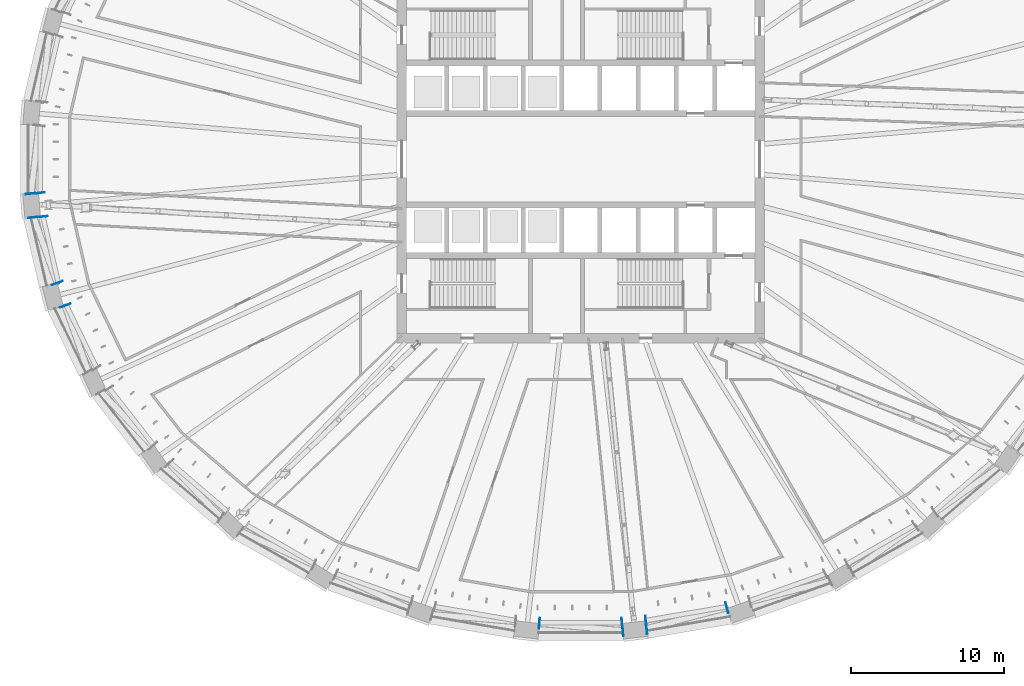
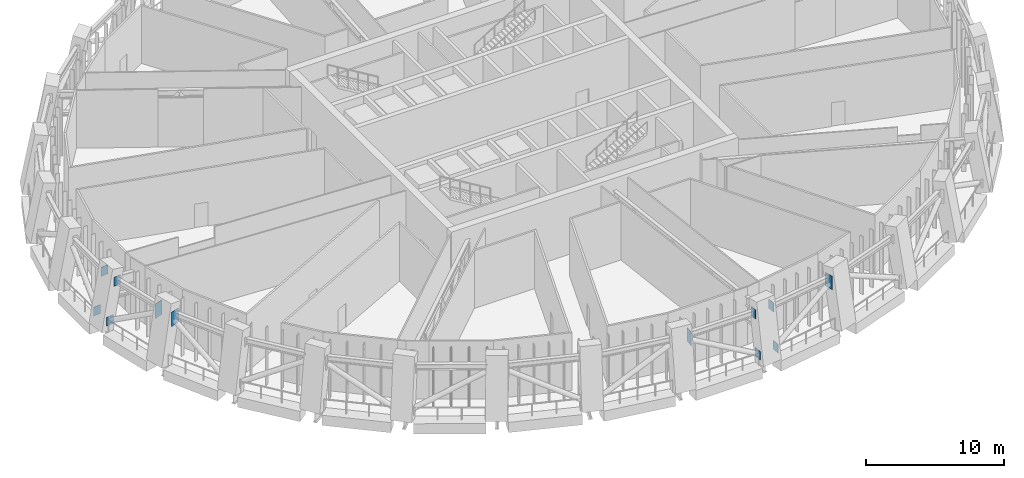
# One storey, part 13 of 22: 12 discrete accessories.
"""IFC4 building model written with IfcOpenShell, lengths in metres."""

from ifc_helpers import new_model, si_unit, direction, frame, origin, origin_2d, place, context, subcontext, project, spatial, rectangle, extrude, material, layer, layer_set, type_object, element, save


model = new_model("IFC4")

# Units and contexts
model_context = context("Model", 3, precision=1e-05, world=origin(), true_north=direction((0.0, 1.0)))
body_context = subcontext(model_context, "Body", "Model", "MODEL_VIEW")
ifc_project = project(units=[si_unit("LENGTHUNIT", "METRE"), si_unit("AREAUNIT", "SQUARE_METRE"), si_unit("VOLUMEUNIT", "CUBIC_METRE"), si_unit("PLANEANGLEUNIT", "RADIAN"), si_unit("MASSUNIT", "GRAM", prefix="KILO")], contexts=[model_context])

# Site, building, storey
site_placement = place(None, origin())
site = spatial("IfcSite", under=ifc_project, at=site_placement, CompositionType="ELEMENT")
building_placement = place(site_placement, origin())
building = spatial("IfcBuilding", under=site, at=building_placement, Name="Halqa Exchange Tower", CompositionType="ELEMENT")
storey_placement = place(building_placement, frame((0.0, 0.0, 99.10009765625)))
storey = spatial("IfcBuildingStorey", under=building, at=storey_placement, Name="L22", CompositionType="ELEMENT", Elevation=99.10009765625)

# Discrete accessories
ifc_material = material(Name="Steel S355", Category="steel")
ifc_layer = layer(ifc_material, 0.0400390625)
ifc_layer_set = layer_set([ifc_layer], Name="Steel S355")
discrete_accessory_type = type_object("IfcDiscreteAccessoryType", Name="Belt truss anchor plate 40", PredefinedType="ANCHORPLATE", material=ifc_layer_set)
discrete_accessory_1_placement = place(storey_placement, frame((-35.1572265625, -3.727783203125, 4.25), z_axis=(0.116485527129, -0.993192389202, 0.0), x_axis=(0.993192389202, 0.116485527129, 0.0)))
element("IfcDiscreteAccessory", 1, at=discrete_accessory_1_placement, inside=storey, type_object=discrete_accessory_type, Name="Belt truss anchor plate", PredefinedType="ANCHORPLATE", context=body_context, shape_type="SweptSolid", body=[
    extrude(rectangle(XDim=0.60009765625, YDim=0.800048828125, at=origin_2d()), origin(), (0.0, 0.0, 1.0), 0.039794921875),
])
discrete_accessory_2_placement = place(storey_placement, frame((-35.330078125, -2.217529296875, 4.25), z_axis=(-0.115780500934, 0.993274823804, 0.0), x_axis=(-0.993274823804, -0.115780500934, 0.0)))
element("IfcDiscreteAccessory", 2, at=discrete_accessory_2_placement, inside=storey, type_object=discrete_accessory_type, Name="Belt truss anchor plate", PredefinedType="ANCHORPLATE", context=body_context, shape_type="SweptSolid", body=[
    extrude(rectangle(XDim=0.60009765625, YDim=0.800048828125, at=origin_2d()), origin(), (0.0, 0.0, 1.0), 0.0400390625),
])
discrete_accessory_3_placement = place(storey_placement, frame((-35.79541015625, -3.780029296875, 0.983642578125), z_axis=(0.109762219212, -0.993957873973, 0.0), x_axis=(0.993957873973, 0.109762219212, 0.0)))
element("IfcDiscreteAccessory", 3, at=discrete_accessory_3_placement, inside=storey, type_object=discrete_accessory_type, Name="Belt truss anchor plate", PredefinedType="ANCHORPLATE", context=body_context, shape_type="SweptSolid", body=[
    extrude(rectangle(XDim=0.634033203125, YDim=0.77587890625, at=origin_2d()), origin(), (0.0, 0.0, 1.0), 0.0400390625),
])
discrete_accessory_4_placement = place(storey_placement, frame((-35.968017578125, -2.269775390625, 0.98974609375), z_axis=(-0.109762219212, 0.993957873973, 0.0), x_axis=(-0.993957873973, -0.109762219212, 0.0)))
element("IfcDiscreteAccessory", 4, at=discrete_accessory_4_placement, inside=storey, type_object=discrete_accessory_type, Name="Belt truss anchor plate", PredefinedType="ANCHORPLATE", context=body_context, shape_type="SweptSolid", body=[
    extrude(rectangle(XDim=0.632080078125, YDim=0.778076171875, at=origin_2d()), origin(), (0.0, 0.0, 1.0), 0.0400390625),
])
discrete_accessory_5_placement = place(storey_placement, frame((-33.705078125, -9.544677734375, 4.020263671875), z_axis=(0.334409845171, -0.942427745481, 0.0), x_axis=(0.942427745481, 0.334409845171, 0.0)))
element("IfcDiscreteAccessory", 5, at=discrete_accessory_5_placement, inside=storey, type_object=discrete_accessory_type, Name="Belt truss anchor plate", PredefinedType="ANCHORPLATE", context=body_context, shape_type="SweptSolid", body=[
    extrude(rectangle(XDim=0.738037109375, YDim=1.259033203125, at=origin_2d()), origin(), (0.0, 0.0, 1.0), 0.0400390625),
])
discrete_accessory_6_placement = place(storey_placement, frame((-34.211181640625, -8.111572265625, 4.020263671875), z_axis=(-0.334409845171, 0.942427745481, 0.0), x_axis=(-0.942427745481, -0.334409845171, 0.0)))
element("IfcDiscreteAccessory", 6, at=discrete_accessory_6_placement, inside=storey, type_object=discrete_accessory_type, Name="Belt truss anchor plate", PredefinedType="ANCHORPLATE", context=body_context, shape_type="SweptSolid", body=[
    extrude(rectangle(XDim=0.739990234375, YDim=1.259033203125, at=origin_2d()), origin(), (0.0, 0.0, 1.0), 0.0400390625),
])
discrete_accessory_7_placement = place(storey_placement, frame((-2.72216796875, -30.342041015625, 4.0546875), z_axis=(0.996872997497, -0.079020420533, 0.0), x_axis=(0.079020420533, 0.996872997497, 0.0)))
element("IfcDiscreteAccessory", 7, at=discrete_accessory_7_placement, inside=storey, type_object=discrete_accessory_type, Name="Belt truss anchor plate", PredefinedType="ANCHORPLATE", context=body_context, shape_type="SweptSolid", body=[
    extrude(rectangle(XDim=0.718017578125, YDim=1.19091796875, at=origin_2d()), origin(), (0.0, 0.0, 1.0), 0.040283203125),
])
for number, where, z_axis, x_axis, name in (
    (8, (4.231689453125, -30.15478515625, 4.25), (0.996834694212, 0.079502153526, 0.0), (-0.079502153526, 0.996834694212, 0.0), "Belt truss anchor plate"),
    (9, (2.717041015625, -30.282958984375, 4.25), (-0.996331773833, -0.085574508182, 0.0), (0.085574508182, -0.996331773833, 0.0), "Belt truss anchor plate"),
):
    element("IfcDiscreteAccessory", number, at=place(storey_placement, frame(where, z_axis=z_axis, x_axis=x_axis)), inside=storey, type_object=discrete_accessory_type, Name=name, PredefinedType="ANCHORPLATE", context=body_context, shape_type="SweptSolid", body=[
        extrude(rectangle(XDim=0.60009765625, YDim=0.800048828125, at=origin_2d()), origin(), (0.0, 0.0, 1.0), 0.0400390625),
    ])
discrete_accessory_8_placement = place(storey_placement, frame((4.295166015625, -30.694091796875, 0.9208984375), z_axis=(0.996376129781, 0.085056498884, 0.0), x_axis=(-0.085056498884, 0.996376129781, 0.0)))
element("IfcDiscreteAccessory", 10, at=discrete_accessory_8_placement, inside=storey, type_object=discrete_accessory_type, Name="Belt truss anchor plate", PredefinedType="ANCHORPLATE", context=body_context, shape_type="SweptSolid", body=[
    extrude(rectangle(XDim=0.678955078125, YDim=0.760986328125, at=origin_2d()), origin(), (0.0, 0.0, 1.0), 0.040283203125),
])
discrete_accessory_9_placement = place(storey_placement, frame((2.78076171875, -30.822509765625, 0.91650390625), z_axis=(-0.996376129781, -0.085056498884, 0.0), x_axis=(0.085056498884, -0.996376129781, 0.0)))
element("IfcDiscreteAccessory", 11, at=discrete_accessory_9_placement, inside=storey, type_object=discrete_accessory_type, Name="Belt truss anchor plate", PredefinedType="ANCHORPLATE", context=body_context, shape_type="SweptSolid", body=[
    extrude(rectangle(XDim=0.679931640625, YDim=0.760009765625, at=origin_2d()), origin(), (0.0, 0.0, 1.0), 0.040283203125),
])
discrete_accessory_10_placement = place(storey_placement, frame((9.568603515625, -29.30517578125, 4.05224609375), z_axis=(-0.968324838627, -0.249693826313, 0.0), x_axis=(0.249693826313, -0.968324838627, 0.0)))
element("IfcDiscreteAccessory", 12, at=discrete_accessory_10_placement, inside=storey, type_object=discrete_accessory_type, Name="Belt truss anchor plate", PredefinedType="ANCHORPLATE", context=body_context, shape_type="SweptSolid", body=[
    extrude(rectangle(XDim=0.718994140625, YDim=1.195068359375, at=origin_2d()), origin(), (0.0, 0.0, 1.0), 0.0400390625),
])

save(model, "model.ifc")
